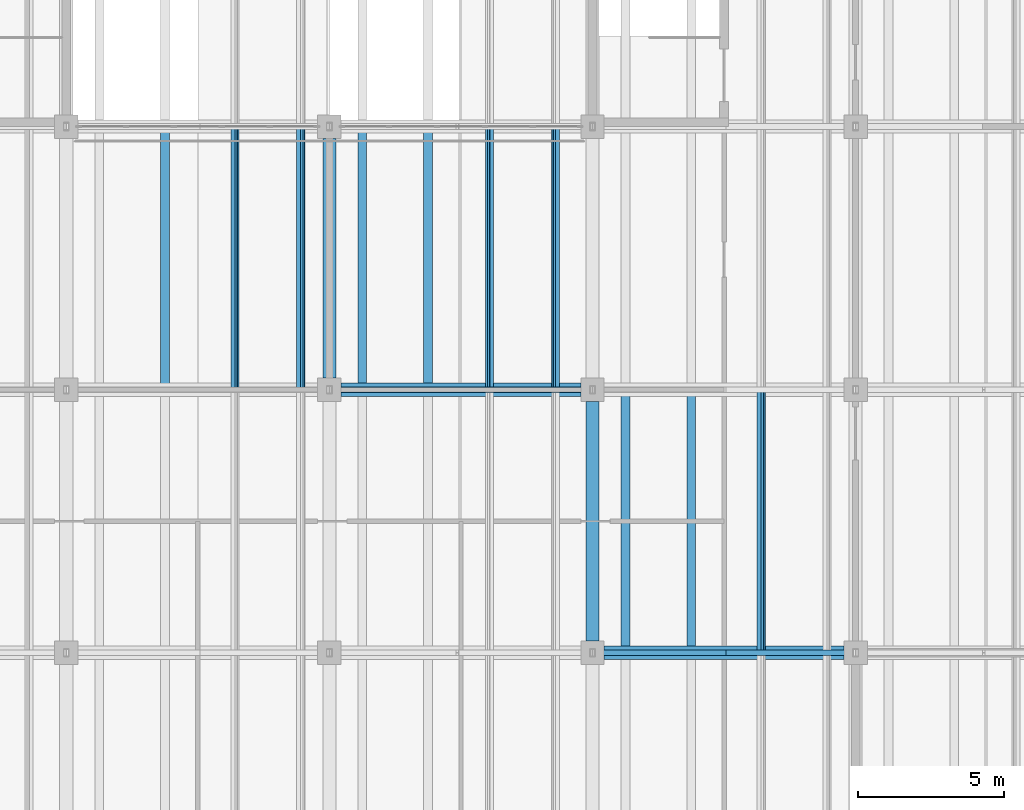
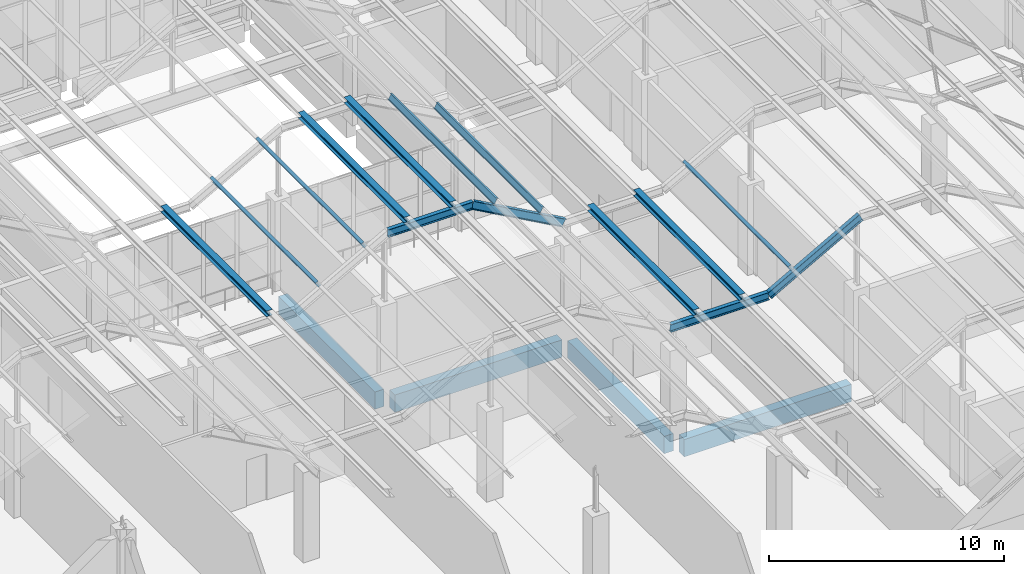
# One storey, part 25 of 437: 14 members, 4 beams.
"""IFC4 building model written with IfcOpenShell, lengths in metres."""

from ifc_helpers import new_model, si_unit, direction, frame, origin, origin_2d, place, context, subcontext, project, spatial, rectangle, i_section, extrude, material, material_profile, profile_set, type_object, element, save


model = new_model("IFC4")

# Units and contexts
model_context = context("Model", 3, precision=1e-05, world=origin(), true_north=direction((0.0, 1.0)))
body_context = subcontext(model_context, "Body", "Model", "MODEL_VIEW")
ifc_project = project(units=[si_unit("LENGTHUNIT", "METRE"), si_unit("AREAUNIT", "SQUARE_METRE"), si_unit("VOLUMEUNIT", "CUBIC_METRE"), si_unit("PLANEANGLEUNIT", "RADIAN"), si_unit("MASSUNIT", "GRAM", prefix="KILO")], contexts=[model_context])

# Site, building, storey
site_placement = place(None, origin())
site = spatial("IfcSite", under=ifc_project, at=site_placement, CompositionType="ELEMENT")
building_placement = place(site_placement, origin())
building = spatial("IfcBuilding", under=site, at=building_placement, Name="Opaline Strait Convention Centre", CompositionType="ELEMENT")
storey_placement = place(building_placement, frame((0.0, 0.0, 11.5)))
storey = spatial("IfcBuildingStorey", under=building, at=storey_placement, Name="L02", CompositionType="ELEMENT", Elevation=11.5)

# Members
ifc_material_1 = material(Name="Steel Q355B", Category="steel")
ifc_material_profile_1 = material_profile(ifc_material_1, i_section(OverallWidth=0.300048828125, OverallDepth=0.300048828125, WebThickness=0.010009765625, FlangeThickness=0.014892578125, FilletRadius=0.012939453125, at=origin_2d()), Name="HW 300x300x10x15")
ifc_profile_set_1 = profile_set([ifc_material_profile_1], Name="Steel Q355B")
member_type_1 = type_object("IfcMemberType", Name="Crest purlin HW 300x300x10x15", PredefinedType="PURLIN", material=ifc_profile_set_1)
for number, where, z_axis, x_axis, name in (
    (1, (39.375, 36.0, 5.949951171875), (0.0, 1.0, 0.0), (-1.0, 0.0, 0.0), "RU1 purlin facet 7 line 2"),
    (2, (46.125, 36.0, 8.449951171875), (0.0, 1.0, 0.0), (-1.0, 0.0, 0.0), "RU1 purlin facet 9 line 1"),
    (3, (48.375, 36.0, 8.449951171875), (0.0, 1.0, 0.0), (-1.0, 0.0, 0.0), "RU1 purlin facet 9 line 2"),
    (4, (55.125, 27.0, 5.949951171875), (0.0, 1.0, 0.0), (-1.0, 0.0, 0.0), "RU1 purlin facet 11 line 1"),
    (5, (57.375, 27.0, 5.949951171875), (0.0, 1.0, 0.0), (-1.0, 0.0, 0.0), "RU1 purlin facet 11 line 2"),
):
    element("IfcMember", number, at=place(storey_placement, frame(where, z_axis=z_axis, x_axis=x_axis)), inside=storey, type_object=member_type_1, Name=name, PredefinedType="PURLIN", context=body_context, shape_type="SweptSolid", body=[
        extrude(i_section(OverallWidth=0.300048828125, OverallDepth=0.300048828125, WebThickness=0.010009765625, FlangeThickness=0.014892578125, FilletRadius=0.012939453125, at=origin_2d()), origin(), (0.0, 0.0, 1.0), 9.0),
    ])

# Beams
ifc_material_2 = material(Name="Concrete C35", Category="concrete")
ifc_material_profile_2 = material_profile(ifc_material_2, rectangle(XDim=0.449951171875, YDim=0.89990234375, at=origin_2d()), Name="RC 450x900")
ifc_profile_set_2 = profile_set([ifc_material_profile_2], Name="Concrete C35")
beam_type = type_object("IfcBeamType", Name="RC beam 450x900 C35", PredefinedType="BEAM", material=ifc_profile_set_2)
for number, where, z_axis, x_axis, name in (
    (6, (54.39990234375, 27.0, -0.72998046875), (1.0, 0.0, 0.0), (0.0, 1.0, 0.0), "XB1 L02 54/27-63/27"),
    (7, (45.39990234375, 36.0, -0.72998046875), (1.0, 0.0, 0.0), (0.0, 1.0, 0.0), "XB1 L02 45/36-54/36"),
    (8, (45.0, 36.39990234375, -0.72998046875), (0.0, 1.0, 0.0), (-1.0, 0.0, 0.0), "XB1 L02 45/36-45/45"),
    (9, (54.0, 27.39990234375, -0.72998046875), (0.0, 1.0, 0.0), (-1.0, 0.0, 0.0), "XB1 L02 54/27-54/36"),
):
    element("IfcBeam", number, at=place(storey_placement, frame(where, z_axis=z_axis, x_axis=x_axis)), inside=storey, type_object=beam_type, Name=name, PredefinedType="BEAM", context=body_context, shape_type="SweptSolid", body=[
        extrude(rectangle(XDim=0.449951171875, YDim=0.89990234375, at=origin_2d()), origin(), (0.0, 0.0, 1.0), 8.2001953125),
    ])

# Members
ifc_material_profile_3 = material_profile(ifc_material_1, i_section(OverallWidth=0.14990234375, OverallDepth=0.300048828125, WebThickness=0.006591796875, FlangeThickness=0.009033203125, FilletRadius=0.012939453125, at=origin_2d()), Name="HN 300x150x6.5x9")
ifc_profile_set_3 = profile_set([ifc_material_profile_3], Name="Steel Q355B")
member_type_2 = type_object("IfcMemberType", Name="Roof purlin HN 300x150x6.5x9", PredefinedType="PURLIN", material=ifc_profile_set_3)
for number, where, z_axis, x_axis, name in (
    (10, (41.770751953125, 36.0, 6.61279296875), (0.0, 1.0, 0.0), (-0.874157310866, 0.0, -0.485642868639), "RU1 purlin facet 8 line 1"),
    (11, (44.020751953125, 36.0, 7.86279296875), (0.0, 1.0, 0.0), (-0.874157310866, 0.0, -0.485642868639), "RU1 purlin facet 8 line 2"),
    (12, (50.479248046875, 36.0, 7.86279296875), (0.0, 1.0, 0.0), (-0.874157310866, 0.0, 0.485642868639), "RU1 purlin facet 10 line 1"),
    (13, (52.729248046875, 36.0, 6.61279296875), (0.0, 1.0, 0.0), (-0.874157310866, 0.0, 0.485642868639), "RU1 purlin facet 10 line 2"),
    (14, (59.770751953125, 27.0, 6.61279296875), (0.0, 1.0, 0.0), (-0.874157310866, 0.0, -0.485642868639), "RU1 purlin facet 12 line 1"),
):
    element("IfcMember", number, at=place(storey_placement, frame(where, z_axis=z_axis, x_axis=x_axis)), inside=storey, type_object=member_type_2, Name=name, PredefinedType="PURLIN", context=body_context, shape_type="SweptSolid", body=[
        extrude(i_section(OverallWidth=0.14990234375, OverallDepth=0.300048828125, WebThickness=0.006591796875, FlangeThickness=0.009033203125, FilletRadius=0.012939453125, at=origin_2d()), origin(), (0.0, 0.0, 1.0), 9.0),
    ])
ifc_material_profile_4 = material_profile(ifc_material_1, i_section(OverallWidth=0.199951171875, OverallDepth=0.39990234375, WebThickness=0.008056640625, FlangeThickness=0.012939453125, FilletRadius=0.012939453125, at=origin_2d()), Name="HN 400x200x8x13")
ifc_profile_set_4 = profile_set([ifc_material_profile_4], Name="Steel Q355B")
member_type_3 = type_object("IfcMemberType", Name="Roof rafter HN 400x200x8x13", PredefinedType="RAFTER", material=ifc_profile_set_4)
member_1_placement = place(storey_placement, frame((53.83154296875, 27.0, 5.60009765625), z_axis=(1.0, 0.0, 0.0), x_axis=(0.0, 1.0, 0.0)))
element("IfcMember", 15, at=member_1_placement, inside=storey, type_object=member_type_3, Name="RR1 rafter line 3 facet 12", PredefinedType="RAFTER", context=body_context, shape_type="SweptSolid", body=[
    extrude(i_section(OverallWidth=0.199951171875, OverallDepth=0.39990234375, WebThickness=0.008056640625, FlangeThickness=0.012939453125, FilletRadius=0.012939453125, at=origin_2d()), origin(), (0.0, 0.0, 1.0), 4.8369140625),
])
member_2_placement = place(storey_placement, frame((58.66845703125, 27.0, 5.60009765625), z_axis=(0.874157276122, 0.0, 0.485642931179), x_axis=(0.0, 1.0, 0.0)))
element("IfcMember", 16, at=member_2_placement, inside=storey, type_object=member_type_3, Name="RR1 rafter line 3 facet 13", PredefinedType="RAFTER", context=body_context, shape_type="SweptSolid", body=[
    extrude(i_section(OverallWidth=0.199951171875, OverallDepth=0.39990234375, WebThickness=0.008056640625, FlangeThickness=0.012939453125, FilletRadius=0.012939453125, at=origin_2d()), origin(), (0.0, 0.0, 1.0), 5.147705078125),
])
member_3_placement = place(storey_placement, frame((45.16845703125, 36.0, 8.10009765625), z_axis=(1.0, 0.0, 0.0), x_axis=(0.0, 1.0, 0.0)))
element("IfcMember", 17, at=member_3_placement, inside=storey, type_object=member_type_3, Name="RR1 rafter line 4 facet 10", PredefinedType="RAFTER", context=body_context, shape_type="SweptSolid", body=[
    extrude(i_section(OverallWidth=0.199951171875, OverallDepth=0.39990234375, WebThickness=0.008056640625, FlangeThickness=0.012939453125, FilletRadius=0.012939453125, at=origin_2d()), origin(), (0.0, 0.0, 1.0), 4.1630859375),
])
member_4_placement = place(storey_placement, frame((49.33154296875, 36.0, 8.10009765625), z_axis=(0.874157276122, 0.0, -0.485642931179), x_axis=(0.0, 1.0, 0.0)))
element("IfcMember", 18, at=member_4_placement, inside=storey, type_object=member_type_3, Name="RR1 rafter line 4 facet 11", PredefinedType="RAFTER", context=body_context, shape_type="SweptSolid", body=[
    extrude(i_section(OverallWidth=0.199951171875, OverallDepth=0.39990234375, WebThickness=0.008056640625, FlangeThickness=0.012939453125, FilletRadius=0.012939453125, at=origin_2d()), origin(), (0.0, 0.0, 1.0), 5.147705078125),
])

save(model, "model.ifc")
